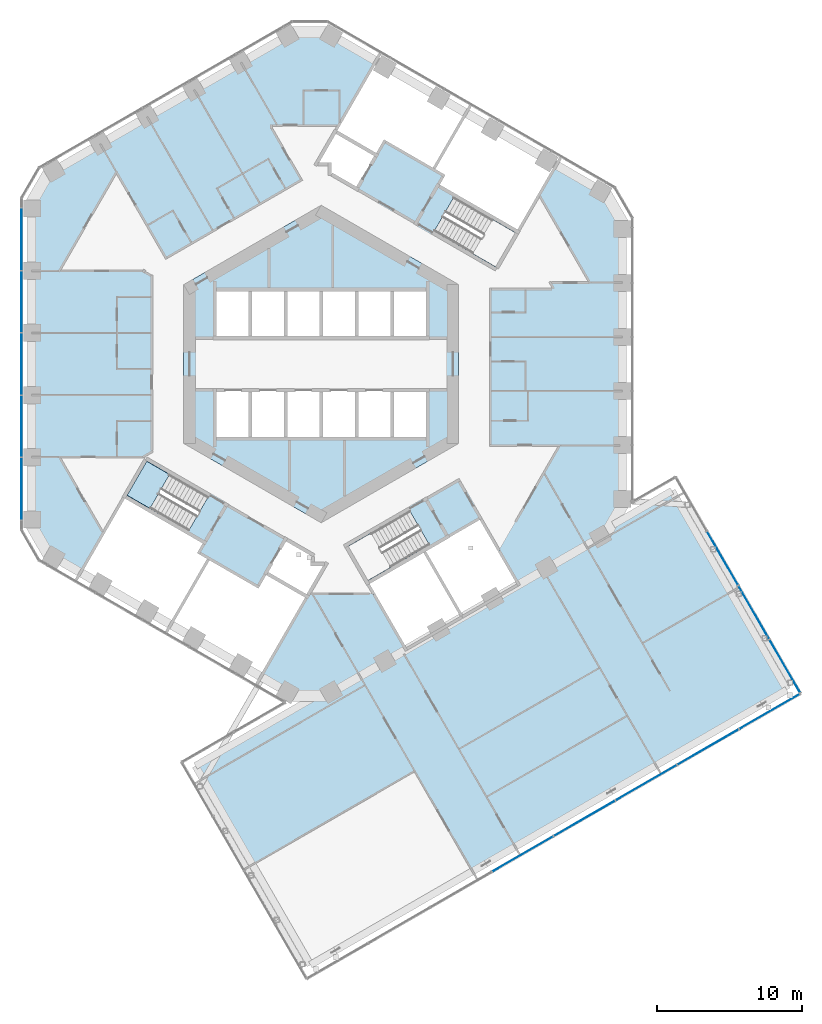
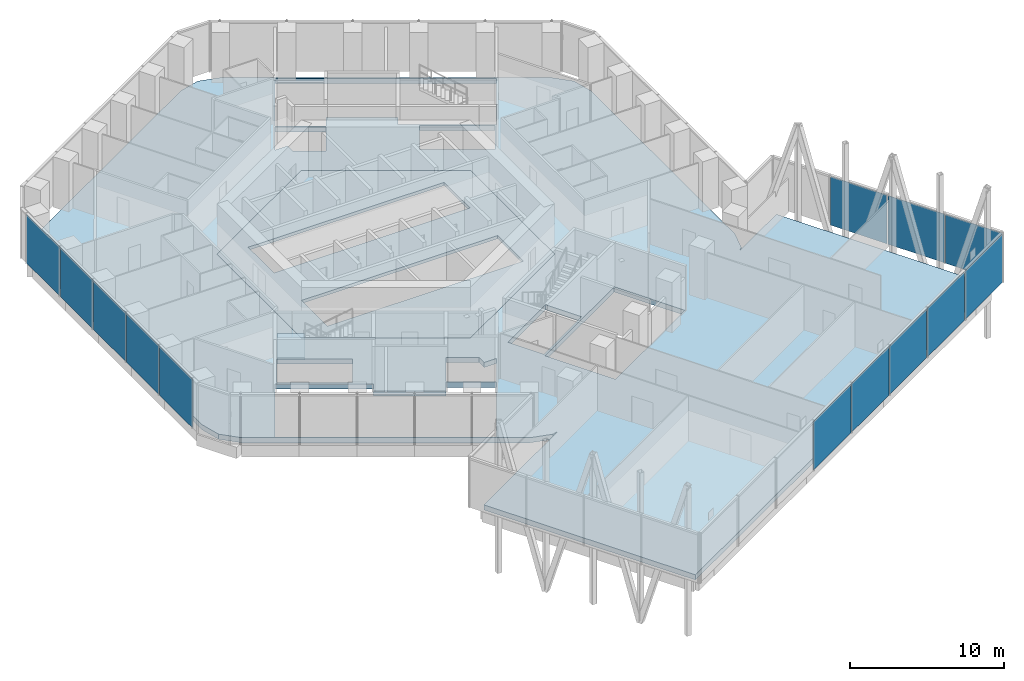
# One storey, part 14 of 27: 13 plates, 3 slabs, 4 elements without a shape of their own.
"""IFC4 building model written with IfcOpenShell, lengths in metres."""

from ifc_helpers import new_model, si_unit, direction, frame, origin, origin_2d, place, context, subcontext, project, spatial, polyline, rectangle, outline, extrude, material, layer, layer_set, type_object, element, aggregate, save


model = new_model("IFC4")

# Units and contexts
model_context = context("Model", 3, precision=1e-05, world=origin(), true_north=direction((0.0, 1.0)))
body_context = subcontext(model_context, "Body", "Model", "MODEL_VIEW")
ifc_project = project(units=[si_unit("LENGTHUNIT", "METRE"), si_unit("AREAUNIT", "SQUARE_METRE"), si_unit("VOLUMEUNIT", "CUBIC_METRE"), si_unit("PLANEANGLEUNIT", "RADIAN"), si_unit("MASSUNIT", "GRAM", prefix="KILO")], contexts=[model_context])

# Site, building, storey
site_placement = place(None, origin())
site = spatial("IfcSite", under=ifc_project, at=site_placement, CompositionType="ELEMENT")
building_placement = place(site_placement, origin())
building = spatial("IfcBuilding", under=site, at=building_placement, Name="Ayvan Gate Tower", CompositionType="ELEMENT")
storey_placement = place(building_placement, frame((0.0, 0.0, 70.300048828125)))
storey = spatial("IfcBuildingStorey", under=building, at=storey_placement, Name="L18", CompositionType="ELEMENT", Elevation=70.300048828125)

# Slabs
ifc_material_1 = material(Name="Concrete C40/50", Category="concrete")
ifc_layer_1 = layer(ifc_material_1, 0.39990234375)
ifc_layer_set_1 = layer_set([ifc_layer_1], Name="Concrete C40/50")
slab_type_1 = type_object("IfcSlabType", Name="Post-tensioned flat slab 400", PredefinedType="FLOOR", material=ifc_layer_set_1)
slab_1_placement = place(storey_placement, frame((0.0, 0.0, -0.400146484375)))
element("IfcSlab", 1, at=slab_1_placement, inside=storey, type_object=slab_type_1, Name="SL-L18", PredefinedType="FLOOR", context=body_context, shape_type="SweptSolid", body=[
    extrude(outline(polyline([(-20.002685546875, -10.719482421875), (-20.002685546875, 10.719482421875), (-19.6005859375, 12.219482421875), (-18.502685546875, 13.317626953125), (-2.281982421875, 22.682373046875), (-0.781982421875, 23.08447265625), (0.718017578125, 22.682373046875), (19.28466796875, 11.963134765625), (20.382568359375, 10.864990234375), (20.78466796875, 9.364990234375), (20.78466796875, -9.364990234375), (20.382568359375, -10.864990234375), (20.104248046875, -11.1435546875), (24.227294921875, -8.762939453125), (32.162353515625, -22.506591796875), (-0.746826171875, -41.506591796875), (-8.681640625, -27.762939453125), (-0.401611328125, -22.982421875), (-0.781982421875, -23.08447265625), (-2.281982421875, -22.682373046875), (-18.502685546875, -13.317626953125), (-19.6005859375, -12.219482421875), (-20.002685546875, -10.719482421875)]), holes=[polyline([(8.042724609375, 12.33056640625), (13.58544921875, 9.130615234375), (16.186767578125, 13.63623046875), (3.7158203125, 20.836181640625), (1.0146484375, 16.157470703125), (3.87255859375, 14.50732421875), (4.37255859375, 15.373291015625), (7.77587890625, 13.408447265625), (8.44287109375, 13.0234375), (8.042724609375, 12.33056640625)]), polyline([(3.651611328125, -15.9248046875), (5.844482421875, -19.722900390625), (9.741455078125, -17.472900390625), (13.638671875, -15.222900390625), (13.474365234375, -14.938232421875), (12.311767578125, -12.9248046875), (11.32177734375, -11.2099609375), (10.9873046875, -10.630615234375), (8.735595703125, -11.9306640625), (7.090087890625, -12.880615234375), (3.193115234375, -15.130615234375), (3.651611328125, -15.9248046875)]), polyline([(7.80615234375, 9.170654296875), (12.049560546875, 6.720458984375), (13.404541015625, 9.0673828125), (9.1611328125, 11.517578125), (7.80615234375, 9.170654296875)]), polyline([(-9.5, -5.48486328125), (0.0, -10.9697265625), (9.5, -5.48486328125), (9.5, 5.48486328125), (0.0, 10.9697265625), (-9.5, 5.48486328125), (-9.5, -5.48486328125)]), polyline([(6.117431640625, -10.1455078125), (1.873779296875, -12.595458984375), (3.228759765625, -14.9423828125), (7.472412109375, -12.492431640625), (6.117431640625, -10.1455078125)]), polyline([(0.964599609375, 16.07080078125), (-0.340576171875, 13.81005859375), (0.60009765625, 13.81005859375), (0.60009765625, 13.16357421875), (2.472412109375, 12.08251953125), (3.822509765625, 14.420654296875), (0.964599609375, 16.07080078125)]), polyline([(-0.60009765625, -13.16357421875), (-2.472412109375, -12.08251953125), (-3.822509765625, -14.420654296875), (-0.964599609375, -16.07080078125), (-0.85693359375, -15.884521484375), (0.340576171875, -13.81005859375), (-0.60009765625, -13.81005859375), (-0.60009765625, -13.16357421875)]), polyline([(-16.57763671875, -14.3134765625), (-4.10693359375, -21.513427734375), (-1.0146484375, -16.157470703125), (-3.87255859375, -14.50732421875), (-4.37255859375, -15.373291015625), (-7.75, -13.42333984375), (-8.44287109375, -13.0234375), (-8.042724609375, -12.33056640625), (-13.58544921875, -9.130615234375), (-15.0830078125, -11.724609375), (-16.57763671875, -14.3134765625)]), polyline([(-13.404541015625, -9.0673828125), (-9.1611328125, -11.517578125), (-7.80615234375, -9.170654296875), (-12.049560546875, -6.720458984375), (-13.404541015625, -9.0673828125)])]), origin(), (0.0, 0.0, 1.0), 0.400146484375),
])
ifc_layer_2 = layer(ifc_material_1, 0.25)
ifc_layer_set_2 = layer_set([ifc_layer_2], Name="Concrete C40/50")
slab_type_2 = type_object("IfcSlabType", Name="SL-CORE-250", PredefinedType="FLOOR", material=ifc_layer_set_2)
slab_2_placement = place(storey_placement, frame((0.0, 0.0, -0.25)))
element("IfcSlab", 2, at=slab_2_placement, inside=storey, type_object=slab_type_2, Name="CS-L18", PredefinedType="FLOOR", context=body_context, shape_type="SweptSolid", body=[
    extrude(outline(polyline([(9.5, -5.48486328125), (0.0, -10.9697265625), (-9.5, -5.48486328125), (-9.5, 5.48486328125), (0.0, 10.9697265625), (9.5, 5.48486328125), (9.5, -5.48486328125)]), holes=[polyline([(-7.35009765625, -1.800048828125), (-7.35009765625, -5.14990234375), (7.35009765625, -5.14990234375), (7.35009765625, -1.800048828125), (-7.35009765625, -1.800048828125)]), polyline([(-7.35009765625, 5.14990234375), (-7.35009765625, 1.800048828125), (7.35009765625, 1.800048828125), (7.35009765625, 5.14990234375), (-7.35009765625, 5.14990234375)])]), origin(), (0.0, 0.0, 1.0), 0.25),
])

# Stair, slab
stair_type = type_object("IfcStairType", Name="ST-EXIT", PredefinedType="HALF_TURN_STAIR", material=ifc_material_1)
stair_placement = place(storey_placement, origin())
stair = element("IfcStair", 3, at=stair_placement, inside=storey, type_object=stair_type, Name="L18 Exit Stair S2", PredefinedType="HALF_TURN_STAIR")
ifc_layer_3 = layer(ifc_material_1, 0.199951171875)
ifc_layer_set_3 = layer_set([ifc_layer_3], Name="Concrete C40/50")
slab_type_3 = type_object("IfcSlabType", Name="SL-LANDING-200", PredefinedType="LANDING", material=ifc_layer_set_3)
slab_3_placement = place(storey_placement, frame((0.0, 0.0, 1.800048828125)))
slab_3 = element("IfcSlab", 4, at=slab_3_placement, type_object=slab_type_3, Name="STS2 landing 1", PredefinedType="LANDING", context=body_context, shape_type="SweptSolid", body=[
    extrude(outline(polyline([(-10.473388671875, -7.630615234375), (-12.049560546875, -6.720458984375), (-13.404541015625, -9.0673828125), (-11.828369140625, -9.9775390625), (-10.473388671875, -7.630615234375)])), origin(), (0.0, 0.0, 1.0), 0.199951171875),
])
aggregate(stair, [slab_3])

# Curtain wall, plates
ifc_material_2 = material(Name="Bronze anodised aluminium", Category="aluminium")
ifc_layer_4 = layer(ifc_material_2, 0.199951171875)
ifc_layer_set_4 = layer_set([ifc_layer_4], Name="Bronze anodised aluminium")
curtain_wall_type_1 = type_object("IfcCurtainWallType", Name="Stick curtain wall CW-1", PredefinedType="NOTDEFINED", material=ifc_layer_set_4)
curtain_wall_1_placement = place(storey_placement, origin())
curtain_wall_1 = element("IfcCurtainWall", 5, at=curtain_wall_1_placement, inside=storey, type_object=curtain_wall_type_1, Name="Stick curtain wall CW-1 L18", PredefinedType="NOTDEFINED")
ifc_material_3 = material(Name="Clear low-iron laminated glass", Category="glass")
ifc_layer_5 = layer(ifc_material_3, 0.028076171875)
ifc_layer_set_5 = layer_set([ifc_layer_5], Name="Clear low-iron laminated glass")
plate_type_1 = type_object("IfcPlateType", Name="Stick curtain wall CW-1 glass panel", PredefinedType="CURTAIN_PANEL", material=ifc_layer_set_5)
plate_1_placement = place(storey_placement, frame((-20.70263671875, 8.627685546875, 0.0), z_axis=(0.0, 0.0, 1.0), x_axis=(0.0, -1.0, 0.0)))
plate_1 = element("IfcPlate", 6, at=plate_1_placement, type_object=plate_type_1, Name="CW-1 glass panel 1", PredefinedType="CURTAIN_PANEL", context=body_context, shape_type="SweptSolid", body=[
    extrude(rectangle(XDim=4.30810546875, YDim=0.028076171875, at=origin_2d()), origin(), (0.0, 0.0, 1.0), 3.8798828125),
])
plate_2_placement = place(storey_placement, frame((-20.70263671875, 4.295654296875, 0.0), z_axis=(0.0, 0.0, 1.0), x_axis=(0.0, -1.0, 0.0)))
plate_2 = element("IfcPlate", 7, at=plate_2_placement, type_object=plate_type_1, Name="CW-1 glass panel 2", PredefinedType="CURTAIN_PANEL", context=body_context, shape_type="SweptSolid", body=[
    extrude(rectangle(XDim=4.236083984375, YDim=0.028076171875, at=origin_2d()), origin(), (0.0, 0.0, 1.0), 3.8798828125),
])
plate_3_placement = place(storey_placement, frame((-20.70263671875, -0.00048828125, 0.0), z_axis=(0.0, 0.0, 1.0), x_axis=(0.0, -1.0, 0.0)))
plate_3 = element("IfcPlate", 8, at=plate_3_placement, type_object=plate_type_1, Name="CW-1 glass panel 3", PredefinedType="CURTAIN_PANEL", context=body_context, shape_type="SweptSolid", body=[
    extrude(rectangle(XDim=4.236083984375, YDim=0.028076171875, at=origin_2d()), origin(), (0.0, 0.0, 1.0), 3.8798828125),
])
plate_4_placement = place(storey_placement, frame((-20.70263671875, -4.2958984375, 0.0), z_axis=(0.0, 0.0, 1.0), x_axis=(0.0, -1.0, 0.0)))
plate_4 = element("IfcPlate", 9, at=plate_4_placement, type_object=plate_type_1, Name="CW-1 glass panel 4", PredefinedType="CURTAIN_PANEL", context=body_context, shape_type="SweptSolid", body=[
    extrude(rectangle(XDim=4.235107421875, YDim=0.028076171875, at=origin_2d()), origin(), (0.0, 0.0, 1.0), 3.8798828125),
])
plate_5_placement = place(storey_placement, frame((-20.70263671875, -8.62744140625, 0.0), z_axis=(0.0, 0.0, 1.0), x_axis=(0.0, -1.0, 0.0)))
plate_5 = element("IfcPlate", 10, at=plate_5_placement, type_object=plate_type_1, Name="CW-1 glass panel 5", PredefinedType="CURTAIN_PANEL", context=body_context, shape_type="SweptSolid", body=[
    extrude(rectangle(XDim=4.30810546875, YDim=0.028076171875, at=origin_2d()), origin(), (0.0, 0.0, 1.0), 3.8798828125),
])
aggregate(curtain_wall_1, [plate_1, plate_2, plate_3, plate_4, plate_5])

ifc_layer_6 = layer(ifc_material_2, 0.199951171875)
ifc_layer_set_6 = layer_set([ifc_layer_6], Name="Bronze anodised aluminium")
curtain_wall_type_2 = type_object("IfcCurtainWallType", Name="Stick curtain wall CW-4", PredefinedType="NOTDEFINED", material=ifc_layer_set_6)
curtain_wall_2_placement = place(storey_placement, origin())
curtain_wall_2 = element("IfcCurtainWall", 11, at=curtain_wall_2_placement, inside=storey, type_object=curtain_wall_type_2, Name="Stick curtain wall CW-4 L18", PredefinedType="NOTDEFINED")
ifc_material_4 = material(Name="Pale anodised aluminium composite panel", Category="aluminium")
ifc_layer_7 = layer(ifc_material_4, 0.028076171875)
ifc_layer_set_7 = layer_set([ifc_layer_7], Name="Pale anodised aluminium composite panel")
plate_type_2 = type_object("IfcPlateType", Name="Stick curtain wall CW-4 solid panel", PredefinedType="CURTAIN_PANEL", material=ifc_layer_set_7)
plate_6_placement = place(storey_placement, frame((13.92529296875, -33.843994140625, 0.0), z_axis=(0.0, 0.0, 1.0), x_axis=(0.866025403784, 0.5, 0.0)))
plate_6 = element("IfcPlate", 12, at=plate_6_placement, type_object=plate_type_2, Name="CW-4 solid panel 4", PredefinedType="CURTAIN_PANEL", context=body_context, shape_type="SweptSolid", body=[
    extrude(rectangle(XDim=4.844970703125, YDim=0.028076171875, at=origin_2d()), origin(), (0.0, 0.0, 1.0), 3.860107421875),
])
plate_7_placement = place(storey_placement, frame((18.1904296875, -31.381591796875, 0.0), z_axis=(0.0, 0.0, 1.0), x_axis=(0.866025403784, 0.5, 0.0)))
plate_7 = element("IfcPlate", 13, at=plate_7_placement, type_object=plate_type_2, Name="CW-4 solid panel 5", PredefinedType="CURTAIN_PANEL", context=body_context, shape_type="SweptSolid", body=[
    extrude(rectangle(XDim=4.844970703125, YDim=0.028076171875, at=origin_2d()), origin(), (0.0, 0.0, 1.0), 3.860107421875),
])
plate_8_placement = place(storey_placement, frame((22.45556640625, -28.919189453125, 0.0), z_axis=(0.0, 0.0, 1.0), x_axis=(0.866025403784, 0.5, 0.0)))
plate_8 = element("IfcPlate", 14, at=plate_8_placement, type_object=plate_type_2, Name="CW-4 solid panel 6", PredefinedType="CURTAIN_PANEL", context=body_context, shape_type="SweptSolid", body=[
    extrude(rectangle(XDim=4.844970703125, YDim=0.028076171875, at=origin_2d()), origin(), (0.0, 0.0, 1.0), 3.860107421875),
])
plate_9_placement = place(storey_placement, frame((26.720703125, -26.45654296875, 0.0), z_axis=(0.0, 0.0, 1.0), x_axis=(0.866025403784, 0.5, 0.0)))
plate_9 = element("IfcPlate", 15, at=plate_9_placement, type_object=plate_type_2, Name="CW-4 solid panel 7", PredefinedType="CURTAIN_PANEL", context=body_context, shape_type="SweptSolid", body=[
    extrude(rectangle(XDim=4.844970703125, YDim=0.028076171875, at=origin_2d()), origin(), (0.0, 0.0, 1.0), 3.860107421875),
])
plate_10_placement = place(storey_placement, frame((30.98583984375, -23.994140625, 0.0), z_axis=(0.0, 0.0, 1.0), x_axis=(0.866025403784, 0.5, 0.0)))
plate_10 = element("IfcPlate", 16, at=plate_10_placement, type_object=plate_type_2, Name="CW-4 solid panel 8", PredefinedType="CURTAIN_PANEL", context=body_context, shape_type="SweptSolid", body=[
    extrude(rectangle(XDim=4.844970703125, YDim=0.028076171875, at=origin_2d()), origin(), (0.0, 0.0, 1.0), 3.860107421875),
])
aggregate(curtain_wall_2, [plate_6, plate_7, plate_8, plate_9, plate_10])

curtain_wall_3_placement = place(storey_placement, origin())
curtain_wall_3 = element("IfcCurtainWall", 17, at=curtain_wall_3_placement, inside=storey, type_object=curtain_wall_type_2, Name="Stick curtain wall CW-4 L18", PredefinedType="NOTDEFINED")
plate_11_placement = place(storey_placement, frame((32.0390625, -20.893310546875, 0.0), z_axis=(0.0, 0.0, 1.0), x_axis=(-0.5, 0.866025403784, 0.0)))
plate_11 = element("IfcPlate", 18, at=plate_11_placement, type_object=plate_type_2, Name="CW-4 solid panel 1", PredefinedType="CURTAIN_PANEL", context=body_context, shape_type="SweptSolid", body=[
    extrude(rectangle(XDim=4.237548828125, YDim=0.028076171875, at=origin_2d()), origin(), (0.0, 0.0, 1.0), 3.860107421875),
])
plate_12_placement = place(storey_placement, frame((29.88037109375, -17.154296875, 0.0), z_axis=(0.0, 0.0, 1.0), x_axis=(-0.5, 0.866025403784, 0.0)))
plate_12 = element("IfcPlate", 19, at=plate_12_placement, type_object=plate_type_2, Name="CW-4 solid panel 2", PredefinedType="CURTAIN_PANEL", context=body_context, shape_type="SweptSolid", body=[
    extrude(rectangle(XDim=4.237548828125, YDim=0.028076171875, at=origin_2d()), origin(), (0.0, 0.0, 1.0), 3.860107421875),
])
plate_13_placement = place(storey_placement, frame((27.7216796875, -13.415283203125, 0.0), z_axis=(0.0, 0.0, 1.0), x_axis=(-0.5, 0.866025403784, 0.0)))
plate_13 = element("IfcPlate", 20, at=plate_13_placement, type_object=plate_type_2, Name="CW-4 solid panel 3", PredefinedType="CURTAIN_PANEL", context=body_context, shape_type="SweptSolid", body=[
    extrude(rectangle(XDim=4.237548828125, YDim=0.028076171875, at=origin_2d()), origin(), (0.0, 0.0, 1.0), 3.860107421875),
])
aggregate(curtain_wall_3, [plate_11, plate_12, plate_13])

save(model, "model.ifc")
